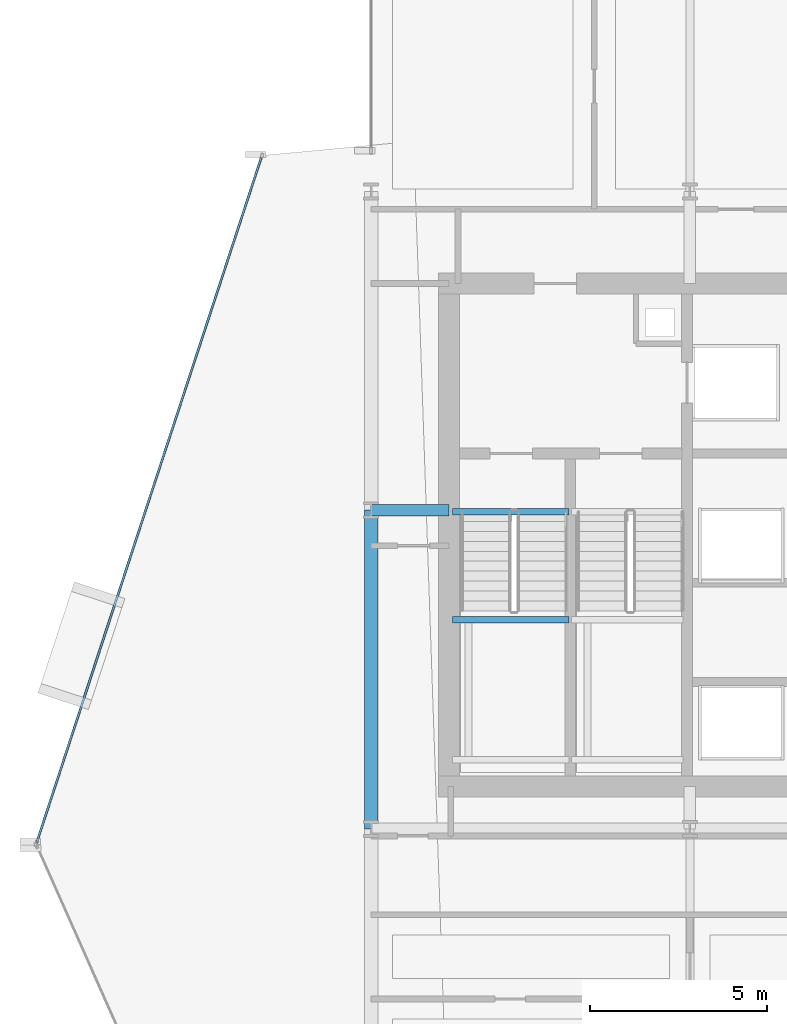
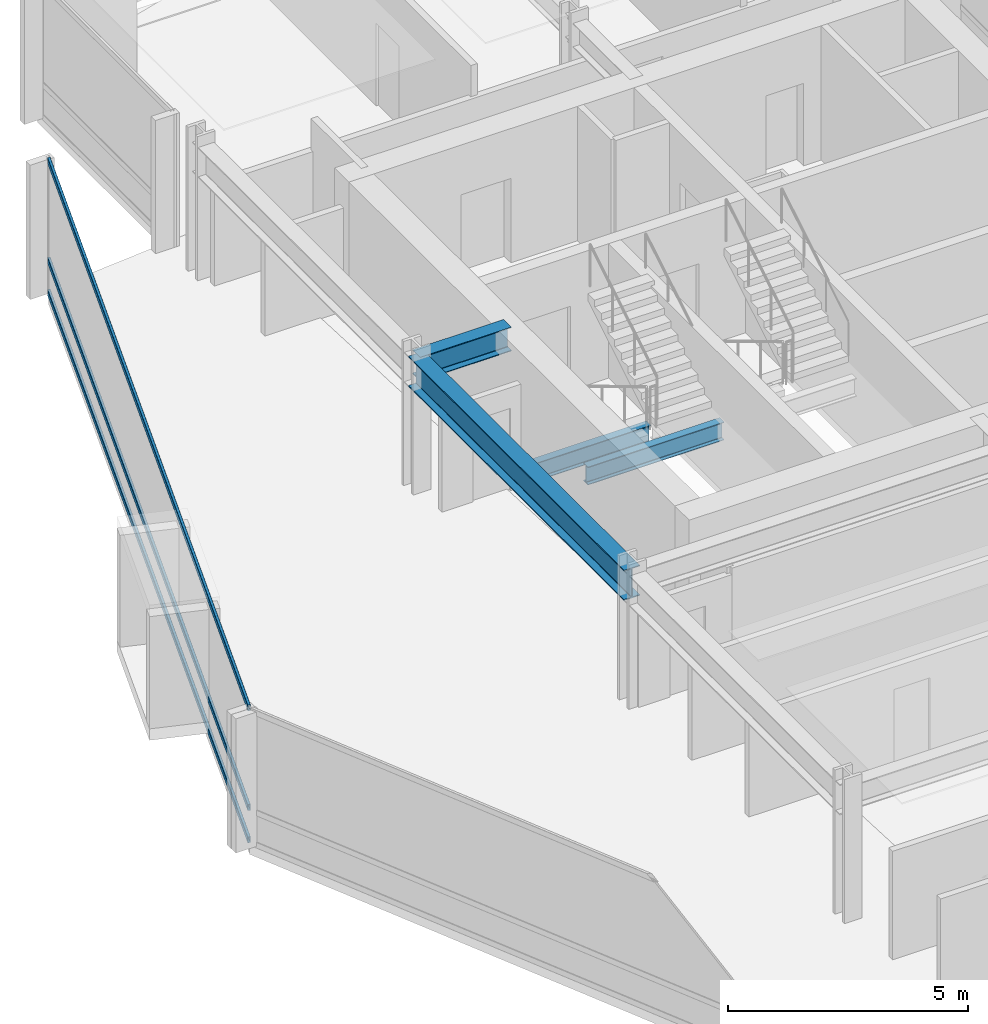
# One storey, part 18 of 34: 4 beams, 3 members, 1 element without a shape of its own.
"""IFC4 building model written with IfcOpenShell, lengths in metres."""

from ifc_helpers import new_model, si_unit, direction, frame, origin, origin_2d, place, context, subcontext, project, spatial, hollow_rectangle, i_section, extrude, material, layer, layer_set, material_profile, profile_set, type_object, element, aggregate, save


model = new_model("IFC4")

# Units and contexts
model_context = context("Model", 3, precision=1e-05, world=origin(), true_north=direction((0.0, 1.0)))
body_context = subcontext(model_context, "Body", "Model", "MODEL_VIEW")
ifc_project = project(units=[si_unit("LENGTHUNIT", "METRE"), si_unit("AREAUNIT", "SQUARE_METRE"), si_unit("VOLUMEUNIT", "CUBIC_METRE"), si_unit("PLANEANGLEUNIT", "RADIAN"), si_unit("MASSUNIT", "GRAM", prefix="KILO")], contexts=[model_context])

# Site, building, storey
site_placement = place(None, origin())
site = spatial("IfcSite", under=ifc_project, at=site_placement, CompositionType="ELEMENT")
building_placement = place(site_placement, origin())
building = spatial("IfcBuilding", under=site, at=building_placement, Name="Solvaryn Broadcast Tower", CompositionType="ELEMENT")
storey_placement = place(building_placement, frame((0.0, 0.0, 92.800048828125)))
storey = spatial("IfcBuildingStorey", under=building, at=storey_placement, Name="L22", CompositionType="ELEMENT", Elevation=92.800048828125)

# Beams
ifc_material_1 = material(Name="Steel ASTM A992 Grade 50", Category="steel")
ifc_material_profile_1 = material_profile(ifc_material_1, i_section(OverallWidth=0.323974609375, OverallDepth=0.611083984375, WebThickness=0.0126953125, FlangeThickness=0.01904296875, FilletRadius=0.014892578125, at=origin_2d()))
ifc_profile_set_1 = profile_set([ifc_material_profile_1], Name="Steel ASTM A992 Grade 50")
beam_type_1 = type_object("IfcBeamType", Name="BM-B1-W24X104", PredefinedType="BEAM", material=ifc_profile_set_1)
beam_1_placement = place(storey_placement, frame((9.0, 36.0, 3.114501953125), z_axis=(1.0, 0.0, 0.0), x_axis=(0.0, 1.0, 0.0)))
element("IfcBeam", 1, at=beam_1_placement, inside=storey, type_object=beam_type_1, Name="L22 Core Tie Beam CTW1", PredefinedType="BEAM", context=body_context, shape_type="SweptSolid", body=[
    extrude(i_section(OverallWidth=0.323974609375, OverallDepth=0.611083984375, WebThickness=0.0126953125, FlangeThickness=0.01904296875, FilletRadius=0.014892578125, at=origin_2d()), origin(), (0.0, 0.0, 1.0), 2.199951171875),
])
ifc_material_2 = material(Name="Steel ASTM A992 Grade 50", Category="steel")
ifc_material_profile_2 = material_profile(ifc_material_2, i_section(OverallWidth=0.18994140625, OverallDepth=0.45703125, WebThickness=0.009033203125, FlangeThickness=0.014404296875, FilletRadius=0.011962890625, at=origin_2d()))
ifc_profile_set_2 = profile_set([ifc_material_profile_2], Name="Steel ASTM A992 Grade 50")
beam_type_2 = type_object("IfcBeamType", Name="BM-B4-W18X50", PredefinedType="BEAM", material=ifc_profile_set_2)
for number, where, z_axis, x_axis, name in (
    (2, (11.300048828125, 35.9599609375, -0.508544921875), (1.0, 0.0, 0.0), (0.0, 1.0, 0.0), "L22 ST1 Stair Well Trimmer Beam"),
    (3, (11.300048828125, 32.909912109375, 1.42138671875), (1.0, 0.0, 0.0), (0.0, 1.0, 0.0), "L22 ST1 Landing Support Beam 1B"),
):
    element("IfcBeam", number, at=place(storey_placement, frame(where, z_axis=z_axis, x_axis=x_axis)), inside=storey, type_object=beam_type_2, Name=name, PredefinedType="BEAM", context=body_context, shape_type="SweptSolid", body=[
        extrude(i_section(OverallWidth=0.18994140625, OverallDepth=0.45703125, WebThickness=0.009033203125, FlangeThickness=0.014404296875, FilletRadius=0.011962890625, at=origin_2d()), origin(), (0.0, 0.0, 1.0), 3.280029296875),
    ])
ifc_material_3 = material(Name="Steel ASTM A992 Grade 50", Category="steel")
ifc_material_profile_3 = material_profile(ifc_material_3, i_section(OverallWidth=0.381103515625, OverallDepth=0.77294921875, WebThickness=0.0166015625, FlangeThickness=0.027099609375, FilletRadius=0.01806640625, at=origin_2d()))
ifc_profile_set_3 = profile_set([ifc_material_profile_3], Name="Steel ASTM A992 Grade 50")
beam_type_3 = type_object("IfcBeamType", Name="BM-SP1-W30X173", PredefinedType="USERDEFINED", material=ifc_profile_set_3)
beam_2_placement = place(storey_placement, frame((9.0, 27.0, 3.033447265625), z_axis=(0.0, 1.0, 0.0), x_axis=(-1.0, 0.0, 0.0)))
element("IfcBeam", 4, at=beam_2_placement, inside=storey, type_object=beam_type_3, Name="L22 Spandrel Beam Y (27-36 @ X=9)", ObjectType="SPANDREL", PredefinedType="USERDEFINED", context=body_context, shape_type="SweptSolid", body=[
    extrude(i_section(OverallWidth=0.381103515625, OverallDepth=0.77294921875, WebThickness=0.0166015625, FlangeThickness=0.027099609375, FilletRadius=0.01806640625, at=origin_2d()), origin(), (0.0, 0.0, 1.0), 9.0),
])

# Curtain wall, members
ifc_material_4 = material(Name="Aluminium and Terracotta Unitised Curtain Wall", Category="masonry")
ifc_layer = layer(ifc_material_4, 0.199951171875)
ifc_layer_set = layer_set([ifc_layer], Name="CW-SYS2-LOWMID")
curtain_wall_type = type_object("IfcCurtainWallType", Name="CW-SYS2-LOWMID", PredefinedType="NOTDEFINED", material=ifc_layer_set)
curtain_wall_placement = place(storey_placement, origin())
curtain_wall = element("IfcCurtainWall", 5, at=curtain_wall_placement, inside=storey, type_object=curtain_wall_type, Name="L22 Curtain Wall DR1", PredefinedType="NOTDEFINED")
ifc_material_5 = material(Name="Anodised Aluminium 6063-T6", Category="aluminium")
ifc_material_profile_4 = material_profile(ifc_material_5, hollow_rectangle(XDim=0.06494140625, YDim=0.14990234375, WallThickness=0.00390625, InnerFilletRadius=0.00390625, OuterFilletRadius=0.008056640625, at=origin_2d()))
ifc_profile_set_4 = profile_set([ifc_material_profile_4], Name="Anodised Aluminium 6063-T6")
member_type = type_object("IfcMemberType", Name="CW-TRN-150", PredefinedType="USERDEFINED", material=ifc_profile_set_4)
member_1_placement = place(storey_placement, frame((5.897216796875, 45.958984375, 0.030029296875), z_axis=(-0.311589549406, -0.950216792475, 0.0), x_axis=(0.950216792475, -0.311589549406, 0.0)))
member_1 = element("IfcMember", 6, at=member_1_placement, type_object=member_type, Name="CWS2 transom 1.1", ObjectType="TRANSOM", PredefinedType="USERDEFINED", context=body_context, shape_type="SweptSolid", body=[
    extrude(hollow_rectangle(XDim=0.06494140625, YDim=0.14990234375, WallThickness=0.00390625, InnerFilletRadius=0.00390625, OuterFilletRadius=0.008056640625, at=origin_2d()), origin(), (0.0, 0.0, 1.0), 20.35546875),
])
member_2_placement = place(storey_placement, frame((5.897216796875, 45.958984375, 0.849853515625), z_axis=(-0.311589549406, -0.950216792475, 0.0), x_axis=(0.950216792475, -0.311589549406, 0.0)))
member_2 = element("IfcMember", 7, at=member_2_placement, type_object=member_type, Name="CWS2 transom 1.2", ObjectType="TRANSOM", PredefinedType="USERDEFINED", context=body_context, shape_type="SweptSolid", body=[
    extrude(hollow_rectangle(XDim=0.06494140625, YDim=0.14990234375, WallThickness=0.00390625, InnerFilletRadius=0.00390625, OuterFilletRadius=0.008056640625, at=origin_2d()), origin(), (0.0, 0.0, 1.0), 20.35546875),
])
member_3_placement = place(storey_placement, frame((5.897216796875, 45.958984375, 3.389892578125), z_axis=(-0.311589549406, -0.950216792475, 0.0), x_axis=(0.950216792475, -0.311589549406, 0.0)))
member_3 = element("IfcMember", 8, at=member_3_placement, type_object=member_type, Name="CWS2 transom 1.3", ObjectType="TRANSOM", PredefinedType="USERDEFINED", context=body_context, shape_type="SweptSolid", body=[
    extrude(hollow_rectangle(XDim=0.06494140625, YDim=0.14990234375, WallThickness=0.00390625, InnerFilletRadius=0.00390625, OuterFilletRadius=0.008056640625, at=origin_2d()), origin(), (0.0, 0.0, 1.0), 20.35546875),
])
aggregate(curtain_wall, [member_1, member_2, member_3])

save(model, "model.ifc")
